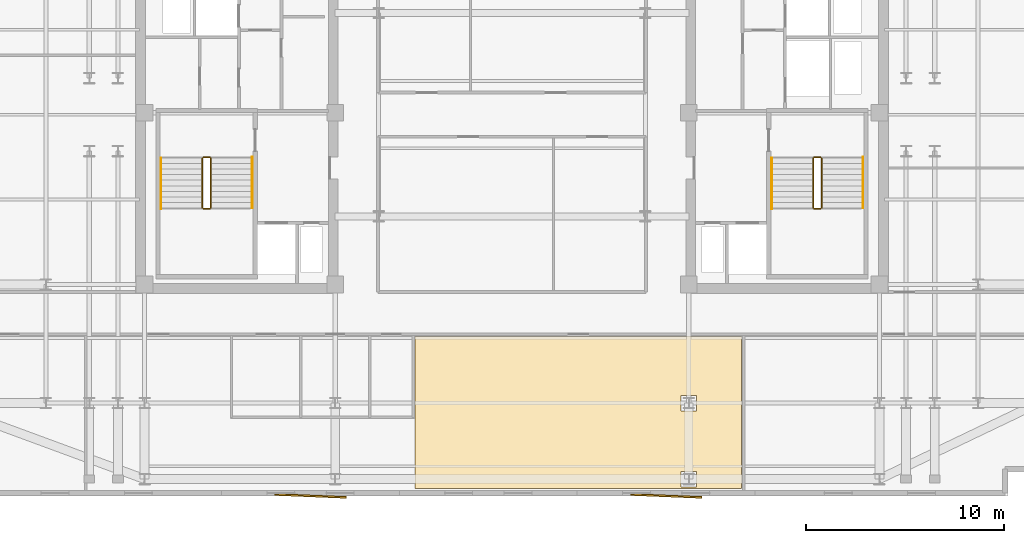
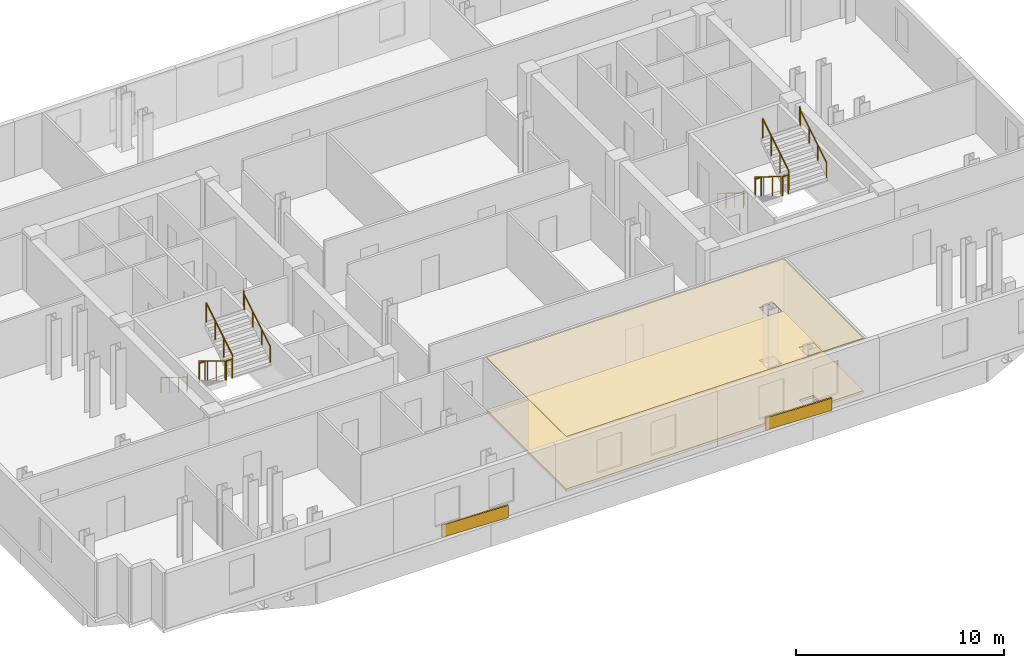
# One storey, part 8 of 9: 12 railings, 4 coverings.
"""IFC4 building model written with IfcOpenShell, lengths in metres."""

import ifcopenshell
import ifcopenshell.guid

model = None  # the IFC model being written
_history = None  # IfcOwnerHistory: only IFC2X3 demands one
_inside = {}  # id of a spatial element -> (the spatial element, [elements in it])
_under = {}  # id of a project, library or spatial element -> (it, [spatial elements below it])
_declared = {}  # id of a project -> (the project, [libraries it declares])
_typed = {}  # id of a type object -> (the type object, [elements of that type])
_made_of = {}  # id of a material, layer set ... -> (it, [elements and type objects made of it])


def new_model(schema):
    """Start an empty IFC model of exactly this schema.

    Asked for "IFC4X3", IfcOpenShell would pick the latest addendum, in which some entities
    have other attributes; the version numbers below select the first issue.
    IFC2X3 requires an IfcOwnerHistory on every rooted entity: one is made here for all.
    """
    global model, _history
    if schema == "IFC4X3":
        model = ifcopenshell.file(schema_version=(4, 3, 0, 0))
    else:
        model = ifcopenshell.file(schema=schema)
    _inside.clear()
    _under.clear()
    _declared.clear()
    _typed.clear()
    _made_of.clear()
    _history = None
    if model.schema == "IFC2X3":
        org = make("IfcOrganization", Name="unknown")
        user = make(
            "IfcPersonAndOrganization",
            ThePerson=make("IfcPerson", FamilyName="unknown"),
            TheOrganization=org,
        )
        app = make(
            "IfcApplication",
            ApplicationDeveloper=org,
            Version="unknown",
            ApplicationFullName="unknown",
            ApplicationIdentifier="unknown",
        )
        _history = make(
            "IfcOwnerHistory",
            OwningUser=user,
            OwningApplication=app,
            ChangeAction="ADDED",
            CreationDate=0,
        )
    return model


def make(cls, **values):
    """One entity of the class cls with the attributes given. An attribute that is None is left unset."""
    return model.create_entity(
        cls, **{name: value for name, value in values.items() if value is not None}
    )


def rooted(cls, **values):
    """An entity with a GlobalId (a new one), such as an element, a storey or a relation."""
    return make(cls, GlobalId=ifcopenshell.guid.new(), OwnerHistory=_history, **values)


def si_unit(unit_type, name, prefix=None):
    """IfcSIUnit, for example si_unit("LENGTHUNIT", "METRE", prefix="MILLI")."""
    return make("IfcSIUnit", UnitType=unit_type, Prefix=prefix, Name=name)


def assignment(units):
    """IfcUnitAssignment: the units of a project."""
    return None if units is None else make("IfcUnitAssignment", Units=units)


def point(xyz):
    """IfcCartesianPoint."""
    return None if xyz is None else make("IfcCartesianPoint", Coordinates=xyz)


def direction(xyz):
    """IfcDirection."""
    return None if xyz is None else make("IfcDirection", DirectionRatios=xyz)


def frame(location, z_axis=None, x_axis=None):
    """IfcAxis2Placement3D, a coordinate frame: its origin and axes. An axis left out is left unset."""
    return make(
        "IfcAxis2Placement3D",
        Location=point(location),
        Axis=direction(z_axis),
        RefDirection=direction(x_axis),
    )


def frame_2d(location, x_axis=None):
    """IfcAxis2Placement2D, a coordinate frame in the plane: its origin and x axis."""
    return make(
        "IfcAxis2Placement2D", Location=point(location), RefDirection=direction(x_axis)
    )


def origin():
    """The frame at (0, 0, 0) with its axes left unset."""
    return frame((0.0, 0.0, 0.0))


def origin_2d():
    """The frame at (0, 0) in the plane with its x axis left unset."""
    return frame_2d((0.0, 0.0))


def place(relative_to, where):
    """IfcLocalPlacement: puts the frame where relative to a parent placement (None: the world)."""
    return make(
        "IfcLocalPlacement", PlacementRelTo=relative_to, RelativePlacement=where
    )


def context(
    kind, dimensions, precision=None, world=None, true_north=None, identifier=None
):
    """IfcGeometricRepresentationContext, for example the 3D "Model" context."""
    return make(
        "IfcGeometricRepresentationContext",
        ContextIdentifier=identifier,
        ContextType=kind,
        CoordinateSpaceDimension=dimensions,
        Precision=precision,
        WorldCoordinateSystem=world,
        TrueNorth=true_north,
    )


def subcontext(parent, identifier, kind, view, scale=None):
    """IfcGeometricRepresentationSubContext, for example "Body" below "Model"."""
    return make(
        "IfcGeometricRepresentationSubContext",
        ContextIdentifier=identifier,
        ContextType=kind,
        ParentContext=parent,
        TargetScale=scale,
        TargetView=view,
    )


def project(units=None, contexts=None):
    """IfcProject with its units and contexts."""
    return rooted(
        "IfcProject",
        Name="project",
        RepresentationContexts=contexts,
        UnitsInContext=assignment(units),
    )


def spatial(cls, under=None, at=None, **own):
    """A site, building, storey or space (cls), placed at a placement, below another one or the project."""
    s = rooted(cls, ObjectPlacement=at, **own)
    if under is not None:
        _under.setdefault(under.id(), (under, []))[1].append(s)
    return s


def polyline(points):
    """IfcPolyline through the points."""
    return make("IfcPolyline", Points=[point(p) for p in points])


def profile(cls, at=None, kind="AREA", **sizes):
    """A parametric profile (cls). Its sizes go by their IFC names, for example OverallWidth=200.0."""
    return make(cls, ProfileType=kind, Position=at, **sizes)


def rectangle(**sizes):
    """IfcRectangleProfileDef."""
    return profile("IfcRectangleProfileDef", **sizes)


def circle(**sizes):
    """IfcCircleProfileDef."""
    return profile("IfcCircleProfileDef", **sizes)


def outline(outer, holes=None, kind="AREA"):
    """IfcArbitraryClosedProfileDef: a profile drawn as a closed curve; with holes, ...WithVoids."""
    if holes is None:
        return make("IfcArbitraryClosedProfileDef", ProfileType=kind, OuterCurve=outer)
    return make(
        "IfcArbitraryProfileDefWithVoids",
        ProfileType=kind,
        OuterCurve=outer,
        InnerCurves=holes,
    )


def extrude(swept, where, along, depth):
    """IfcExtrudedAreaSolid: the profile swept, set in the frame where, extruded along a direction by depth."""
    return make(
        "IfcExtrudedAreaSolid",
        SweptArea=swept,
        Position=where,
        ExtrudedDirection=direction(along),
        Depth=depth,
    )


def shape(context_of_items, identifier, shape_type, items):
    """IfcShapeRepresentation: the items that make up one representation, for example the "Body"."""
    return make(
        "IfcShapeRepresentation",
        ContextOfItems=context_of_items,
        RepresentationIdentifier=identifier,
        RepresentationType=shape_type,
        Items=items,
    )


def material(Name=None, Category=None):
    """IfcMaterial."""
    return make("IfcMaterial", Name=Name, Category=Category)


def layer(
    of_material, thickness, ventilated=None, Name=None, Category=None, Priority=None
):
    """IfcMaterialLayer: one layer of a wall or slab, of a material (None: an air gap)."""
    return make(
        "IfcMaterialLayer",
        Material=of_material,
        LayerThickness=thickness,
        IsVentilated=ventilated,
        Name=Name,
        Category=Category,
        Priority=Priority,
    )


def layer_set(layers, Name=None):
    """IfcMaterialLayerSet."""
    return make("IfcMaterialLayerSet", MaterialLayers=layers, LayerSetName=Name)


def made_of(thing, what):
    """Note that an element or type object is made of a material, layer set ...; save() writes the relation."""
    if what is not None:
        _made_of.setdefault(what.id(), (what, []))[1].append(thing)
    return thing


def type_object(cls, material=None, **own):
    """A type object (cls), such as IfcWallType, which elements share."""
    return made_of(rooted(cls, **own), material)


def element(
    cls,
    number,
    at=None,
    inside=None,
    cuts=None,
    type_object=None,
    material=None,
    context=None,
    identifier="Body",
    shape_type=None,
    held_by="IfcProductDefinitionShape",
    body=None,
    shapes=None,
    **own,
):
    """One element of the class cls, such as IfcWall. Its Tag is "e" and its number.

    at: its placement. inside: the storey or other place that contains it. cuts: it is an
    opening in that element (IfcRelVoidsElement). A single representation is given by context,
    identifier, shape_type and body (its items); several are given by shapes. held_by: the class
    of the entity that holds the representations. save() writes the other relations.
    """
    e = rooted(cls, Tag="e%d" % number, ObjectPlacement=at, **own)
    if body is not None:
        shapes = [shape(context, identifier, shape_type, body)]
    if shapes is not None:
        e.Representation = make(held_by, Representations=shapes)
    if inside is not None:
        _inside.setdefault(inside.id(), (inside, []))[1].append(e)
    if cuts is not None:
        rooted(
            "IfcRelVoidsElement", RelatingBuildingElement=cuts, RelatedOpeningElement=e
        )
    if type_object is not None:
        _typed.setdefault(type_object.id(), (type_object, []))[1].append(e)
    return made_of(e, material)


def aggregate(whole, parts):
    """IfcRelAggregates: a whole, such as a stair, and the parts it consists of."""
    return rooted("IfcRelAggregates", RelatingObject=whole, RelatedObjects=parts)


def save(model, path):
    """Write the relations noted so far, then the file.

    IfcRelAggregates (storeys below a building ...), IfcRelContainedInSpatialStructure (elements
    in a storey), IfcRelDefinesByType, IfcRelAssociatesMaterial and IfcRelDeclares: one each for
    every whole, place, type object, material and project.
    """
    for whole, parts in _under.values():
        aggregate(whole, parts)
    for where, things in _inside.values():
        rooted(
            "IfcRelContainedInSpatialStructure",
            RelatedElements=things,
            RelatingStructure=where,
        )
    for kind, things in _typed.values():
        rooted("IfcRelDefinesByType", RelatedObjects=things, RelatingType=kind)
    for what, things in _made_of.values():
        rooted("IfcRelAssociatesMaterial", RelatedObjects=things, RelatingMaterial=what)
    for by, libraries in _declared.values():
        rooted("IfcRelDeclares", RelatingContext=by, RelatedDefinitions=libraries)
    model.write(path)


model = new_model("IFC4")

# Units and contexts
model_context = context("Model", 3, precision=1e-05, world=origin(), true_north=direction((0.0, 1.0)))
body_context = subcontext(model_context, "Body", "Model", "MODEL_VIEW")
ifc_project = project(units=[si_unit("LENGTHUNIT", "METRE"), si_unit("AREAUNIT", "SQUARE_METRE"), si_unit("VOLUMEUNIT", "CUBIC_METRE"), si_unit("PLANEANGLEUNIT", "RADIAN"), si_unit("MASSUNIT", "GRAM", prefix="KILO")], contexts=[model_context])

# Site, building, storey
site_placement = place(None, origin())
site = spatial("IfcSite", under=ifc_project, at=site_placement, CompositionType="ELEMENT")
building_placement = place(site_placement, origin())
building = spatial("IfcBuilding", under=site, at=building_placement, Name="Velakula Bourse", CompositionType="ELEMENT")
storey_placement = place(building_placement, frame((0.0, 0.0, 208.5)))
storey = spatial("IfcBuildingStorey", under=building, at=storey_placement, Name="L56", CompositionType="ELEMENT", Elevation=208.5)

# Coverings
ifc_material_1 = material(Name="Red kilned clay facing brick masonry", Category="masonry")
ifc_layer_1 = layer(ifc_material_1, 0.090087890625, Name="Red kilned clay facing brick masonry", Category="masonry")
ifc_layer_set_1 = layer_set([ifc_layer_1], Name="Red kilned clay facing brick masonry")
covering_type_1 = type_object("IfcCoveringType", Name="COV-BRK-FOLD-90", PredefinedType="CLADDING", material=ifc_layer_set_1)
for number, where, z_axis, x_axis, name in (
    (1, (-10.199951171875, -19.300048828125, 0.0), (0.0, 0.0, 1.0), (0.999158993058, -0.041003738744, 0.0), "L56 Folded Brick Facade Cladding Panel S-B2"),
    (2, (7.800048828125, -19.300048828125, 0.0), (0.0, 0.0, 1.0), (0.999158993058, -0.041003738744, 0.0), "L56 Folded Brick Facade Cladding Panel S-B4"),
):
    element("IfcCovering", number, at=place(storey_placement, frame(where, z_axis=z_axis, x_axis=x_axis)), inside=storey, type_object=covering_type_1, Name=name, PredefinedType="CLADDING", context=body_context, shape_type="SweptSolid", body=[
        extrude(rectangle(XDim=3.60009765625, YDim=0.090087890625, at=origin_2d()), origin(), (0.0, 0.0, 1.0), 0.719970703125),
    ])
ifc_material_2 = material(Name="Mineral-fibre acoustic suspended ceiling tile", Category="mineral")
ifc_layer_2 = layer(ifc_material_2, 0.0400390625, Name="Mineral-fibre acoustic suspended ceiling tile", Category="mineral")
ifc_layer_set_2 = layer_set([ifc_layer_2], Name="Mineral-fibre acoustic suspended ceiling tile")
covering_type_2 = type_object("IfcCoveringType", Name="COV-CEIL-AC-40", PredefinedType="CEILING", material=ifc_layer_set_2)
covering_1_placement = place(storey_placement, frame((0.0, 0.0, 3.199951171875)))
element("IfcCovering", 3, at=covering_1_placement, inside=storey, type_object=covering_type_2, Name="L56 Disciplinary Hearing Room Acoustic Suspended Ceiling", PredefinedType="CEILING", context=body_context, shape_type="SweptSolid", body=[
    extrude(outline(polyline([(11.623046875, -11.22998046875), (11.623046875, -18.919921875), (-4.89990234375, -18.919921875), (-4.89990234375, -11.22998046875), (11.623046875, -11.22998046875)]), holes=[polyline([(8.554931640625, -18.054931640625), (8.554931640625, -18.844970703125), (9.344970703125, -18.844970703125), (9.344970703125, -18.054931640625), (8.554931640625, -18.054931640625)]), polyline([(8.554931640625, -14.9951171875), (9.344970703125, -14.9951171875), (9.344970703125, -14.205078125), (8.554931640625, -14.205078125), (8.554931640625, -14.9951171875)])]), origin(), (0.0, 0.0, 1.0), 0.0400390625),
])
ifc_material_3 = material(Name="Calcium-sulphate antistatic raised access flooring", Category="gypsum")
ifc_layer_3 = layer(ifc_material_3, 0.14990234375, Name="Calcium-sulphate antistatic raised access flooring", Category="gypsum")
ifc_layer_set_3 = layer_set([ifc_layer_3], Name="Calcium-sulphate antistatic raised access flooring")
covering_type_3 = type_object("IfcCoveringType", Name="COV-FLR-RAISED-150", PredefinedType="FLOORING", material=ifc_layer_set_3)
covering_2_placement = place(storey_placement, origin())
element("IfcCovering", 4, at=covering_2_placement, inside=storey, type_object=covering_type_3, Name="L56 Disciplinary Hearing Room Raised Trading Access Floor", PredefinedType="FLOORING", context=body_context, shape_type="SweptSolid", body=[
    extrude(outline(polyline([(11.623046875, -11.22998046875), (11.623046875, -18.919921875), (-4.89990234375, -18.919921875), (-4.89990234375, -11.22998046875), (11.623046875, -11.22998046875)]), holes=[polyline([(8.554931640625, -18.054931640625), (8.554931640625, -18.844970703125), (9.344970703125, -18.844970703125), (9.344970703125, -18.054931640625), (8.554931640625, -18.054931640625)]), polyline([(8.554931640625, -14.9951171875), (9.344970703125, -14.9951171875), (9.344970703125, -14.205078125), (8.554931640625, -14.205078125), (8.554931640625, -14.9951171875)])]), origin(), (0.0, 0.0, 1.0), 0.14990234375),
])

# Railings
ifc_material_4 = material(Name="Brushed grade 316 stainless steel", Category="steel")
railing_type_1 = type_object("IfcRailingType", Name="RLG-STAIR-GUARD-1150", PredefinedType="BALUSTRADE", material=ifc_material_4)
railing_1_placement = place(storey_placement, frame((-15.672119140625, -2.199951171875, 0.172607421875)))
element("IfcRailing", 5, at=railing_1_placement, inside=storey, type_object=railing_type_1, Name="L56 ST-W1 stair guard 1", PredefinedType="BALUSTRADE", context=body_context, shape_type="SweptSolid", body=[
    extrude(circle(Radius=0.02490234375, at=origin_2d()), frame((0.0, 0.0, 1.125), z_axis=(0.0, -0.851400495292, 0.524516154772), x_axis=(1.0, 0.0, 0.0)), (0.0, 0.0, 1.0), 2.9599609375),
    extrude(circle(Radius=0.02099609375, at=origin_2d()), origin(), (0.0, 0.0, 1.0), 1.099853515625),
    extrude(circle(Radius=0.02099609375, at=origin_2d()), frame((0.0, -0.840087890625, 0.517578125)), (0.0, 0.0, 1.0), 1.099853515625),
    extrude(circle(Radius=0.02099609375, at=origin_2d()), frame((0.0, -1.679931640625, 1.034912109375)), (0.0, 0.0, 1.0), 1.099853515625),
    extrude(circle(Radius=0.02099609375, at=origin_2d()), frame((0.0, -2.52001953125, 1.552490234375)), (0.0, 0.0, 1.0), 1.099853515625),
])
railing_2_placement = place(storey_placement, frame((-15.6220703125, -4.77001953125, 1.72509765625)))
element("IfcRailing", 6, at=railing_2_placement, inside=storey, type_object=railing_type_1, Name="L56 ST-W1 stair guard 2", PredefinedType="BALUSTRADE", context=body_context, shape_type="SweptSolid", body=[
    extrude(circle(Radius=0.02490234375, at=origin_2d()), frame((0.0, 0.0, 1.125), z_axis=(1.0, 0.0, 0.0), x_axis=(0.0, 1.0, 0.0)), (0.0, 0.0, 1.0), 0.323974609375),
    extrude(circle(Radius=0.02099609375, at=origin_2d()), origin(), (0.0, 0.0, 1.0), 1.099853515625),
    extrude(circle(Radius=0.02099609375, at=origin_2d()), frame((0.323974609375, 0.0, 0.0)), (0.0, 0.0, 1.0), 1.099853515625),
])
railing_3_placement = place(storey_placement, frame((-15.248046875, -4.719970703125, 1.8974609375)))
element("IfcRailing", 7, at=railing_3_placement, inside=storey, type_object=railing_type_1, Name="L56 ST-W1 stair guard 3", PredefinedType="BALUSTRADE", context=body_context, shape_type="SweptSolid", body=[
    extrude(circle(Radius=0.02490234375, at=origin_2d()), frame((0.0, 0.0, 1.125), z_axis=(0.0, 0.851400495292, 0.524516154772), x_axis=(-1.0, 0.0, 0.0)), (0.0, 0.0, 1.0), 2.9599609375),
    extrude(circle(Radius=0.02099609375, at=origin_2d()), origin(), (0.0, 0.0, 1.0), 1.099853515625),
    extrude(circle(Radius=0.02099609375, at=origin_2d()), frame((0.0, 0.840087890625, 0.517578125)), (0.0, 0.0, 1.0), 1.099853515625),
    extrude(circle(Radius=0.02099609375, at=origin_2d()), frame((0.0, 1.679931640625, 1.034912109375)), (0.0, 0.0, 1.0), 1.099853515625),
    extrude(circle(Radius=0.02099609375, at=origin_2d()), frame((0.0, 2.52001953125, 1.552490234375)), (0.0, 0.0, 1.0), 1.099853515625),
])
railing_4_placement = place(storey_placement, frame((-15.6220703125, -2.14990234375, 0.0)))
element("IfcRailing", 8, at=railing_4_placement, inside=storey, type_object=railing_type_1, Name="L56 ST-W1 stair guard 4", PredefinedType="BALUSTRADE", context=body_context, shape_type="SweptSolid", body=[
    extrude(circle(Radius=0.02490234375, at=origin_2d()), frame((0.0, 0.0, 1.125), z_axis=(1.0, 0.0, 0.0), x_axis=(0.0, 1.0, 0.0)), (0.0, 0.0, 1.0), 0.323974609375),
    extrude(circle(Radius=0.02099609375, at=origin_2d()), origin(), (0.0, 0.0, 1.0), 1.099853515625),
    extrude(circle(Radius=0.02099609375, at=origin_2d()), frame((0.323974609375, 0.0, 0.0)), (0.0, 0.0, 1.0), 1.099853515625),
])
railing_5_placement = place(storey_placement, frame((15.248046875, -2.199951171875, 0.172607421875)))
element("IfcRailing", 9, at=railing_5_placement, inside=storey, type_object=railing_type_1, Name="L56 ST-E1 stair guard 1", PredefinedType="BALUSTRADE", context=body_context, shape_type="SweptSolid", body=[
    extrude(circle(Radius=0.02490234375, at=origin_2d()), frame((0.0, 0.0, 1.125), z_axis=(0.0, -0.851400495292, 0.524516154772), x_axis=(1.0, 0.0, 0.0)), (0.0, 0.0, 1.0), 2.9599609375),
    extrude(circle(Radius=0.02099609375, at=origin_2d()), origin(), (0.0, 0.0, 1.0), 1.099853515625),
    extrude(circle(Radius=0.02099609375, at=origin_2d()), frame((0.0, -0.840087890625, 0.517578125)), (0.0, 0.0, 1.0), 1.099853515625),
    extrude(circle(Radius=0.02099609375, at=origin_2d()), frame((0.0, -1.679931640625, 1.034912109375)), (0.0, 0.0, 1.0), 1.099853515625),
    extrude(circle(Radius=0.02099609375, at=origin_2d()), frame((0.0, -2.52001953125, 1.552490234375)), (0.0, 0.0, 1.0), 1.099853515625),
])
railing_6_placement = place(storey_placement, frame((15.298095703125, -4.77001953125, 1.72509765625)))
element("IfcRailing", 10, at=railing_6_placement, inside=storey, type_object=railing_type_1, Name="L56 ST-E1 stair guard 2", PredefinedType="BALUSTRADE", context=body_context, shape_type="SweptSolid", body=[
    extrude(circle(Radius=0.02490234375, at=origin_2d()), frame((0.0, 0.0, 1.125), z_axis=(1.0, 0.0, 0.0), x_axis=(0.0, 1.0, 0.0)), (0.0, 0.0, 1.0), 0.323974609375),
    extrude(circle(Radius=0.02099609375, at=origin_2d()), origin(), (0.0, 0.0, 1.0), 1.099853515625),
    extrude(circle(Radius=0.02099609375, at=origin_2d()), frame((0.323974609375, 0.0, 0.0)), (0.0, 0.0, 1.0), 1.099853515625),
])
railing_7_placement = place(storey_placement, frame((15.672119140625, -4.719970703125, 1.8974609375)))
element("IfcRailing", 11, at=railing_7_placement, inside=storey, type_object=railing_type_1, Name="L56 ST-E1 stair guard 3", PredefinedType="BALUSTRADE", context=body_context, shape_type="SweptSolid", body=[
    extrude(circle(Radius=0.02490234375, at=origin_2d()), frame((0.0, 0.0, 1.125), z_axis=(0.0, 0.851400495292, 0.524516154772), x_axis=(-1.0, 0.0, 0.0)), (0.0, 0.0, 1.0), 2.9599609375),
    extrude(circle(Radius=0.02099609375, at=origin_2d()), origin(), (0.0, 0.0, 1.0), 1.099853515625),
    extrude(circle(Radius=0.02099609375, at=origin_2d()), frame((0.0, 0.840087890625, 0.517578125)), (0.0, 0.0, 1.0), 1.099853515625),
    extrude(circle(Radius=0.02099609375, at=origin_2d()), frame((0.0, 1.679931640625, 1.034912109375)), (0.0, 0.0, 1.0), 1.099853515625),
    extrude(circle(Radius=0.02099609375, at=origin_2d()), frame((0.0, 2.52001953125, 1.552490234375)), (0.0, 0.0, 1.0), 1.099853515625),
])
railing_8_placement = place(storey_placement, frame((15.298095703125, -2.14990234375, 0.0)))
element("IfcRailing", 12, at=railing_8_placement, inside=storey, type_object=railing_type_1, Name="L56 ST-E1 stair guard 4", PredefinedType="BALUSTRADE", context=body_context, shape_type="SweptSolid", body=[
    extrude(circle(Radius=0.02490234375, at=origin_2d()), frame((0.0, 0.0, 1.125), z_axis=(1.0, 0.0, 0.0), x_axis=(0.0, 1.0, 0.0)), (0.0, 0.0, 1.0), 0.323974609375),
    extrude(circle(Radius=0.02099609375, at=origin_2d()), origin(), (0.0, 0.0, 1.0), 1.099853515625),
    extrude(circle(Radius=0.02099609375, at=origin_2d()), frame((0.323974609375, 0.0, 0.0)), (0.0, 0.0, 1.0), 1.099853515625),
])
railing_type_2 = type_object("IfcRailingType", Name="RLG-STAIR-HAND-920", PredefinedType="HANDRAIL", material=ifc_material_4)
railing_9_placement = place(storey_placement, frame((-17.77001953125, -2.199951171875, 0.172607421875)))
element("IfcRailing", 13, at=railing_9_placement, inside=storey, type_object=railing_type_2, Name="L56 ST-W1 stair handrail 1", PredefinedType="HANDRAIL", context=body_context, shape_type="SweptSolid", body=[
    extrude(circle(Radius=0.02099609375, at=origin_2d()), frame((0.0, 0.0, 0.89892578125), z_axis=(0.0, -0.851400495292, 0.524516154772), x_axis=(1.0, 0.0, 0.0)), (0.0, 0.0, 1.0), 2.9599609375),
    extrude(circle(Radius=0.02099609375, at=origin_2d()), frame((0.0, -2.52001953125, 2.451416015625), z_axis=(0.0, -0.226269970362, 0.974064628509), x_axis=(1.0, 0.0, 0.0)), (0.0, 0.0, 1.0), 0.177001953125),
    extrude(circle(Radius=0.02099609375, at=origin_2d()), frame((0.0, -2.56005859375, 2.623779296875), z_axis=(0.0, -1.0, 0.0), x_axis=(1.0, 0.0, 0.0)), (0.0, 0.0, 1.0), 0.0048828125),
    extrude(circle(Radius=0.02099609375, at=origin_2d()), origin(), (0.0, 0.0, 1.0), 0.8779296875),
    extrude(circle(Radius=0.02099609375, at=origin_2d()), frame((0.0, -0.840087890625, 0.517578125)), (0.0, 0.0, 1.0), 0.8779296875),
    extrude(circle(Radius=0.02099609375, at=origin_2d()), frame((0.0, -1.679931640625, 1.034912109375)), (0.0, 0.0, 1.0), 0.8779296875),
    extrude(circle(Radius=0.02099609375, at=origin_2d()), frame((0.0, -2.52001953125, 1.552490234375)), (0.0, 0.0, 1.0), 0.8779296875),
    extrude(circle(Radius=0.02099609375, at=origin_2d()), frame((0.0, -2.56005859375, 1.724853515625)), (0.0, 0.0, 1.0), 0.8779296875),
    extrude(circle(Radius=0.02099609375, at=origin_2d()), frame((0.0, -2.56494140625, 1.724853515625)), (0.0, 0.0, 1.0), 0.8779296875),
])
railing_10_placement = place(storey_placement, frame((-13.14990234375, -4.719970703125, 1.8974609375)))
element("IfcRailing", 14, at=railing_10_placement, inside=storey, type_object=railing_type_2, Name="L56 ST-W1 stair handrail 2", PredefinedType="HANDRAIL", context=body_context, shape_type="SweptSolid", body=[
    extrude(circle(Radius=0.02099609375, at=origin_2d()), frame((0.0, 0.0, 0.89892578125), z_axis=(0.0, 0.851400495292, 0.524516154772), x_axis=(-1.0, 0.0, 0.0)), (0.0, 0.0, 1.0), 2.9599609375),
    extrude(circle(Radius=0.02099609375, at=origin_2d()), frame((0.0, 2.52001953125, 2.451416015625), z_axis=(0.0, 0.22596628056, 0.974135124123), x_axis=(-1.0, 0.0, 0.0)), (0.0, 0.0, 1.0), 0.17724609375),
    extrude(circle(Radius=0.02099609375, at=origin_2d()), frame((0.0, 2.56005859375, 2.6240234375), z_axis=(0.0, 1.0, 0.0), x_axis=(-1.0, 0.0, 0.0)), (0.0, 0.0, 1.0), 0.0048828125),
    extrude(circle(Radius=0.02099609375, at=origin_2d()), origin(), (0.0, 0.0, 1.0), 0.8779296875),
    extrude(circle(Radius=0.02099609375, at=origin_2d()), frame((0.0, 0.840087890625, 0.517578125)), (0.0, 0.0, 1.0), 0.8779296875),
    extrude(circle(Radius=0.02099609375, at=origin_2d()), frame((0.0, 1.679931640625, 1.034912109375)), (0.0, 0.0, 1.0), 0.8779296875),
    extrude(circle(Radius=0.02099609375, at=origin_2d()), frame((0.0, 2.52001953125, 1.552490234375)), (0.0, 0.0, 1.0), 0.8779296875),
    extrude(circle(Radius=0.02099609375, at=origin_2d()), frame((0.0, 2.56005859375, 1.72509765625)), (0.0, 0.0, 1.0), 0.8779296875),
    extrude(circle(Radius=0.02099609375, at=origin_2d()), frame((0.0, 2.56494140625, 1.72509765625)), (0.0, 0.0, 1.0), 0.8779296875),
])
railing_11_placement = place(storey_placement, frame((13.14990234375, -2.199951171875, 0.172607421875)))
element("IfcRailing", 15, at=railing_11_placement, inside=storey, type_object=railing_type_2, Name="L56 ST-E1 stair handrail 1", PredefinedType="HANDRAIL", context=body_context, shape_type="SweptSolid", body=[
    extrude(circle(Radius=0.02099609375, at=origin_2d()), frame((0.0, 0.0, 0.89892578125), z_axis=(0.0, -0.851400495292, 0.524516154772), x_axis=(1.0, 0.0, 0.0)), (0.0, 0.0, 1.0), 2.9599609375),
    extrude(circle(Radius=0.02099609375, at=origin_2d()), frame((0.0, -2.52001953125, 2.451416015625), z_axis=(0.0, -0.226269970362, 0.974064628509), x_axis=(1.0, 0.0, 0.0)), (0.0, 0.0, 1.0), 0.177001953125),
    extrude(circle(Radius=0.02099609375, at=origin_2d()), frame((0.0, -2.56005859375, 2.623779296875), z_axis=(0.0, -1.0, 0.0), x_axis=(1.0, 0.0, 0.0)), (0.0, 0.0, 1.0), 0.0048828125),
    extrude(circle(Radius=0.02099609375, at=origin_2d()), origin(), (0.0, 0.0, 1.0), 0.8779296875),
    extrude(circle(Radius=0.02099609375, at=origin_2d()), frame((0.0, -0.840087890625, 0.517578125)), (0.0, 0.0, 1.0), 0.8779296875),
    extrude(circle(Radius=0.02099609375, at=origin_2d()), frame((0.0, -1.679931640625, 1.034912109375)), (0.0, 0.0, 1.0), 0.8779296875),
    extrude(circle(Radius=0.02099609375, at=origin_2d()), frame((0.0, -2.52001953125, 1.552490234375)), (0.0, 0.0, 1.0), 0.8779296875),
    extrude(circle(Radius=0.02099609375, at=origin_2d()), frame((0.0, -2.56005859375, 1.724853515625)), (0.0, 0.0, 1.0), 0.8779296875),
    extrude(circle(Radius=0.02099609375, at=origin_2d()), frame((0.0, -2.56494140625, 1.724853515625)), (0.0, 0.0, 1.0), 0.8779296875),
])
railing_12_placement = place(storey_placement, frame((17.77001953125, -4.719970703125, 1.8974609375)))
element("IfcRailing", 16, at=railing_12_placement, inside=storey, type_object=railing_type_2, Name="L56 ST-E1 stair handrail 2", PredefinedType="HANDRAIL", context=body_context, shape_type="SweptSolid", body=[
    extrude(circle(Radius=0.02099609375, at=origin_2d()), frame((0.0, 0.0, 0.89892578125), z_axis=(0.0, 0.851400495292, 0.524516154772), x_axis=(-1.0, 0.0, 0.0)), (0.0, 0.0, 1.0), 2.9599609375),
    extrude(circle(Radius=0.02099609375, at=origin_2d()), frame((0.0, 2.52001953125, 2.451416015625), z_axis=(0.0, 0.22596628056, 0.974135124123), x_axis=(-1.0, 0.0, 0.0)), (0.0, 0.0, 1.0), 0.17724609375),
    extrude(circle(Radius=0.02099609375, at=origin_2d()), frame((0.0, 2.56005859375, 2.6240234375), z_axis=(0.0, 1.0, 0.0), x_axis=(-1.0, 0.0, 0.0)), (0.0, 0.0, 1.0), 0.0048828125),
    extrude(circle(Radius=0.02099609375, at=origin_2d()), origin(), (0.0, 0.0, 1.0), 0.8779296875),
    extrude(circle(Radius=0.02099609375, at=origin_2d()), frame((0.0, 0.840087890625, 0.517578125)), (0.0, 0.0, 1.0), 0.8779296875),
    extrude(circle(Radius=0.02099609375, at=origin_2d()), frame((0.0, 1.679931640625, 1.034912109375)), (0.0, 0.0, 1.0), 0.8779296875),
    extrude(circle(Radius=0.02099609375, at=origin_2d()), frame((0.0, 2.52001953125, 1.552490234375)), (0.0, 0.0, 1.0), 0.8779296875),
    extrude(circle(Radius=0.02099609375, at=origin_2d()), frame((0.0, 2.56005859375, 1.72509765625)), (0.0, 0.0, 1.0), 0.8779296875),
    extrude(circle(Radius=0.02099609375, at=origin_2d()), frame((0.0, 2.56494140625, 1.72509765625)), (0.0, 0.0, 1.0), 0.8779296875),
])

save(model, "model.ifc")
